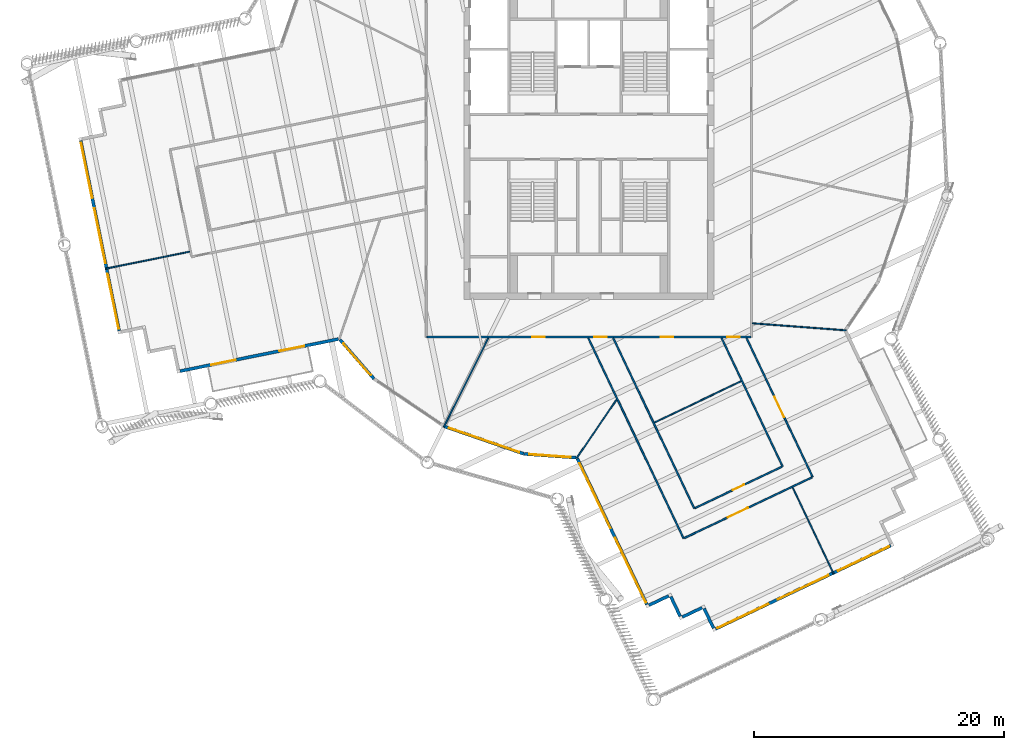
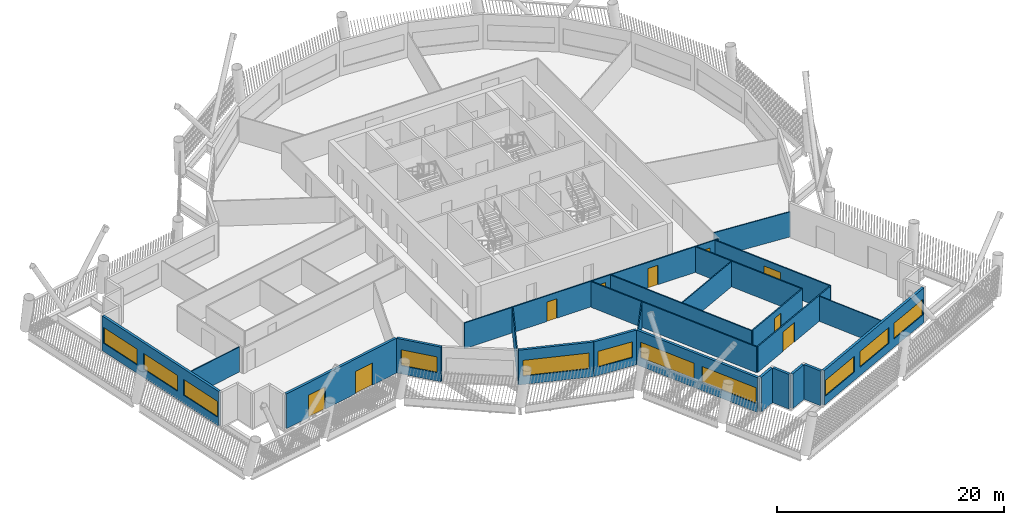
# One storey, part 3 of 21: 24 walls, 11 windows, 9 doors, 20 openings.
"""IFC4 building model written with IfcOpenShell, lengths in metres."""

from ifc_helpers import new_model, si_unit, direction, frame, frame_2d, origin, place, context, subcontext, project, spatial, rectangle, extrude, material, layer, layer_set, type_object, element, fill, save


model = new_model("IFC4")

# Units and contexts
model_context = context("Model", 3, precision=1e-05, world=origin(), true_north=direction((0.0, 1.0)))
body_context = subcontext(model_context, "Body", "Model", "MODEL_VIEW")
ifc_project = project(units=[si_unit("LENGTHUNIT", "METRE"), si_unit("AREAUNIT", "SQUARE_METRE"), si_unit("VOLUMEUNIT", "CUBIC_METRE"), si_unit("PLANEANGLEUNIT", "RADIAN"), si_unit("MASSUNIT", "GRAM", prefix="KILO")], contexts=[model_context])

# Site, building, storey
site_placement = place(None, origin())
site = spatial("IfcSite", under=ifc_project, at=site_placement, CompositionType="ELEMENT")
building_placement = place(site_placement, origin())
building = spatial("IfcBuilding", under=site, at=building_placement, Name="Tarsis Ring Headquarters", CompositionType="ELEMENT")
storey_placement = place(building_placement, frame((0.0, 0.0, 331.39990234375)))
storey = spatial("IfcBuildingStorey", under=building, at=storey_placement, Name="L78", CompositionType="ELEMENT", Elevation=331.39990234375)

# Walls
ifc_material_1 = material(Name="Gypsum board on steel studs", Category="steel")
ifc_layer_1 = layer(ifc_material_1, 0.10009765625)
ifc_layer_set_1 = layer_set([ifc_layer_1], Name="FL partition 100 unrated")
wall_type_1 = type_object("IfcWallType", Name="FL partition 100 unrated", PredefinedType="PARTITIONING", material=ifc_layer_set_1)
wall_1_placement = place(storey_placement, frame((-11.602294921875, -23.20947265625, 0.0), z_axis=(0.0, 0.0, 1.0), x_axis=(0.447140076405, 0.894463946771, 0.0)))
element("IfcWall", 1, at=wall_1_placement, inside=storey, type_object=wall_type_1, Name="Partition PW3", PredefinedType="PARTITIONING", context=body_context, shape_type="SweptSolid", body=[
    extrude(rectangle(XDim=7.969970703125, YDim=0.10009765625, at=frame_2d((3.98486328125, 0.0))), origin(), (0.0, 0.0, 1.0), 2.7001953125),
])
wall_2_placement = place(storey_placement, frame((5.23681640625, -22.834716796875, 0.0), z_axis=(0.0, 0.0, 1.0), x_axis=(0.903034961699, 0.429567058733, 0.0)))
element("IfcWall", 2, at=wall_2_placement, inside=storey, type_object=wall_type_1, Name="Partition PW3", PredefinedType="PARTITIONING", context=body_context, shape_type="SweptSolid", body=[
    extrude(rectangle(XDim=7.679931640625, YDim=0.10009765625, at=frame_2d((3.83984375, 0.0))), origin(), (0.0, 0.0, 1.0), 2.7001953125),
])
wall_3_placement = place(storey_placement, frame((16.290283203125, -28.030029296875, 0.0), z_axis=(0.0, 0.0, 1.0), x_axis=(0.429577547541, -0.903029972176, 0.0)))
element("IfcWall", 3, at=wall_3_placement, inside=storey, type_object=wall_type_1, Name="Partition PW3", PredefinedType="PARTITIONING", context=body_context, shape_type="SweptSolid", body=[
    extrude(rectangle(XDim=7.64013671875, YDim=0.10009765625, at=frame_2d((3.820068359375, 0.0))), origin(), (0.0, 0.0, 1.0), 2.7001953125),
])
wall_4_placement = place(storey_placement, frame((13.070068359375, -14.904296875, 0.0), z_axis=(0.0, 0.0, 1.0), x_axis=(0.997170464727, -0.075173561016, 0.0)))
element("IfcWall", 4, at=wall_4_placement, inside=storey, type_object=wall_type_1, Name="Partition PW3", PredefinedType="PARTITIONING", context=body_context, shape_type="SweptSolid", body=[
    extrude(rectangle(XDim=7.51513671875, YDim=0.10009765625, at=frame_2d((3.757568359375, 0.0))), origin(), (0.0, 0.0, 1.0), 2.7001953125),
])
wall_5_placement = place(storey_placement, frame((-38.626708984375, -10.540771484375, 0.0), z_axis=(0.0, 0.0, 1.0), x_axis=(0.980133284802, 0.198339970814, 0.0)))
element("IfcWall", 5, at=wall_5_placement, inside=storey, type_object=wall_type_1, Name="Partition PW3", PredefinedType="PARTITIONING", context=body_context, shape_type="SweptSolid", body=[
    extrude(rectangle(XDim=6.85986328125, YDim=0.10009765625, at=frame_2d((3.429931640625, 0.0))), origin(), (0.0, 0.0, 1.0), 2.7001953125),
])
wall_6_placement = place(storey_placement, frame((-0.9833984375, -25.693115234375, 0.0), z_axis=(0.0, 0.0, 1.0), x_axis=(0.563665651169, 0.826003047024, 0.0)))
element("IfcWall", 6, at=wall_6_placement, inside=storey, type_object=wall_type_1, Name="Partition PW3", PredefinedType="PARTITIONING", context=body_context, shape_type="SweptSolid", body=[
    extrude(rectangle(XDim=5.666748046875, YDim=0.10009765625, at=frame_2d((2.83349609375, 0.0))), origin(), (0.0, 0.0, 1.0), 2.7001953125),
])

# Wall, openings, doors
ifc_layer_2 = layer(ifc_material_1, 0.125)
ifc_layer_set_2 = layer_set([ifc_layer_2], Name="FL partition 125 EI 60 H2770")
wall_type_2 = type_object("IfcWallType", Name="FL partition 125 EI 60 H2770", PredefinedType="PARTITIONING", material=ifc_layer_set_2)
wall_7_placement = place(storey_placement, frame((-12.93994140625, -16.0, 0.0), z_axis=(0.0, 0.0, 1.0), x_axis=(1.0, 0.0, 0.0)))
wall_7 = element("IfcWall", 7, at=wall_7_placement, inside=storey, type_object=wall_type_2, Name="Partition PW1", PredefinedType="PARTITIONING", context=body_context, shape_type="SweptSolid", body=[
    extrude(rectangle(XDim=25.8798828125, YDim=0.125, at=frame_2d((12.93994140625, 0.0))), origin(), (0.0, 0.0, 1.0), 2.77001953125),
])
opening_1_placement = place(wall_7_placement, frame((8.398193359375, 0.0, 0.0)))
opening_1 = element("IfcOpeningElement", 8, at=opening_1_placement, cuts=wall_7, Name="Opening D78.11", PredefinedType="OPENING", context=body_context, shape_type="SweptSolid", body=[
    extrude(rectangle(XDim=1.0, YDim=2.10009765625, at=frame_2d((0.5, 1.050048828125))), frame((0.0, 0.072509765625, 0.0), z_axis=(0.0, -1.0, 0.0), x_axis=(1.0, 0.0, 0.0)), (0.0, 0.0, 1.0), 0.14501953125),
])
opening_2_placement = place(wall_7_placement, frame((18.677978515625, 0.0, 0.0)))
opening_2 = element("IfcOpeningElement", 9, at=opening_2_placement, cuts=wall_7, Name="Opening D78.15", PredefinedType="OPENING", context=body_context, shape_type="SweptSolid", body=[
    extrude(rectangle(XDim=1.0, YDim=2.10009765625, at=frame_2d((0.5, 1.050048828125))), frame((0.0, 0.072509765625, 0.0), z_axis=(0.0, -1.0, 0.0), x_axis=(1.0, 0.0, 0.0)), (0.0, 0.0, 1.0), 0.14501953125),
])
opening_3_placement = place(wall_7_placement, frame((13.351318359375, 0.0, 0.0)))
opening_3 = element("IfcOpeningElement", 10, at=opening_3_placement, cuts=wall_7, Name="Opening D78.17", PredefinedType="OPENING", context=body_context, shape_type="SweptSolid", body=[
    extrude(rectangle(XDim=1.0, YDim=2.10009765625, at=frame_2d((0.5, 1.050048828125))), frame((0.0, 0.072509765625, 0.0), z_axis=(0.0, -1.0, 0.0), x_axis=(1.0, 0.0, 0.0)), (0.0, 0.0, 1.0), 0.14501953125),
])
opening_4_placement = place(wall_7_placement, frame((24.00439453125, 0.0, 0.0)))
opening_4 = element("IfcOpeningElement", 11, at=opening_4_placement, cuts=wall_7, Name="Opening D78.18", PredefinedType="OPENING", context=body_context, shape_type="SweptSolid", body=[
    extrude(rectangle(XDim=1.0, YDim=2.10009765625, at=frame_2d((0.5, 1.050048828125))), frame((0.0, 0.072509765625, 0.0), z_axis=(0.0, -1.0, 0.0), x_axis=(1.0, 0.0, 0.0)), (0.0, 0.0, 1.0), 0.14501953125),
])
ifc_material_2 = material(Name="Fire-rated timber door leaf in steel frame", Category="steel")
door_type_1 = type_object("IfcDoorType", Name="FL door FD60-1000", OperationType="NOTDEFINED", PredefinedType="DOOR", material=ifc_material_2)
door_1_placement = place(opening_1_placement, origin())
door_1 = element("IfcDoor", 12, at=door_1_placement, inside=storey, type_object=door_type_1, Name="Door D78.11", OperationType="SINGLE_SWING_LEFT", OverallHeight=2.10009765625, OverallWidth=1.0, PredefinedType="DOOR", context=body_context, shape_type="SweptSolid", body=[
    extrude(rectangle(XDim=1.0, YDim=2.10009765625, at=frame_2d((0.5, 1.050048828125))), frame((0.0, 0.02490234375, 0.0), z_axis=(0.0, -1.0, 0.0), x_axis=(1.0, 0.0, 0.0)), (0.0, 0.0, 1.0), 0.050048828125),
])
fill(opening_1, door_1)
door_2_placement = place(opening_2_placement, origin())
door_2 = element("IfcDoor", 13, at=door_2_placement, inside=storey, type_object=door_type_1, Name="Door D78.15", OperationType="SINGLE_SWING_LEFT", OverallHeight=2.10009765625, OverallWidth=1.0, PredefinedType="DOOR", context=body_context, shape_type="SweptSolid", body=[
    extrude(rectangle(XDim=1.0, YDim=2.10009765625, at=frame_2d((0.5, 1.050048828125))), frame((0.0, 0.02490234375, 0.0), z_axis=(0.0, -1.0, 0.0), x_axis=(1.0, 0.0, 0.0)), (0.0, 0.0, 1.0), 0.050048828125),
])
fill(opening_2, door_2)
door_3_placement = place(opening_3_placement, origin())
door_3 = element("IfcDoor", 14, at=door_3_placement, inside=storey, type_object=door_type_1, Name="Door D78.17", OperationType="SINGLE_SWING_LEFT", OverallHeight=2.10009765625, OverallWidth=1.0, PredefinedType="DOOR", context=body_context, shape_type="SweptSolid", body=[
    extrude(rectangle(XDim=1.0, YDim=2.10009765625, at=frame_2d((0.5, 1.050048828125))), frame((0.0, 0.02490234375, 0.0), z_axis=(0.0, -1.0, 0.0), x_axis=(1.0, 0.0, 0.0)), (0.0, 0.0, 1.0), 0.050048828125),
])
fill(opening_3, door_3)
door_4_placement = place(opening_4_placement, origin())
door_4 = element("IfcDoor", 15, at=door_4_placement, inside=storey, type_object=door_type_1, Name="Door D78.18", OperationType="SINGLE_SWING_RIGHT", OverallHeight=2.10009765625, OverallWidth=1.0, PredefinedType="DOOR", context=body_context, shape_type="SweptSolid", body=[
    extrude(rectangle(XDim=1.0, YDim=2.10009765625, at=frame_2d((0.5, 1.050048828125))), frame((0.0, 0.02490234375, 0.0), z_axis=(0.0, -1.0, 0.0), x_axis=(1.0, 0.0, 0.0)), (0.0, 0.0, 1.0), 0.050048828125),
])
fill(opening_4, door_4)

# Walls
wall_8_placement = place(storey_placement, frame((-0.046630859375, -16.081298828125, 0.0), z_axis=(0.0, 0.0, 1.0), x_axis=(0.429564901428, -0.90303598791, 0.0)))
element("IfcWall", 16, at=wall_8_placement, inside=storey, type_object=wall_type_2, Name="Partition PW1", PredefinedType="PARTITIONING", context=body_context, shape_type="SweptSolid", body=[
    extrude(rectangle(XDim=17.738037109375, YDim=0.125, at=frame_2d((8.869140625, 0.0))), origin(), (0.0, 0.0, 1.0), 2.77001953125),
])
wall_9_placement = place(storey_placement, frame((1.94677734375, -16.081298828125, 0.0), z_axis=(0.0, 0.0, 1.0), x_axis=(0.429560295946, -0.903038178676, 0.0)))
element("IfcWall", 17, at=wall_9_placement, inside=storey, type_object=wall_type_2, Name="Partition PW1", PredefinedType="PARTITIONING", context=body_context, shape_type="SweptSolid", body=[
    extrude(rectangle(XDim=15.081787109375, YDim=0.125, at=frame_2d((7.541015625, 0.0))), origin(), (0.0, 0.0, 1.0), 2.77001953125),
])

# Wall, opening, door
wall_10_placement = place(storey_placement, frame((12.599609375, -16.081298828125, 0.0), z_axis=(0.0, 0.0, 1.0), x_axis=(0.429573127723, -0.903032074701, 0.0)))
wall_10 = element("IfcWall", 18, at=wall_10_placement, inside=storey, type_object=wall_type_2, Name="Partition PW1", PredefinedType="PARTITIONING", context=body_context, shape_type="SweptSolid", body=[
    extrude(rectangle(XDim=12.3056640625, YDim=0.125, at=frame_2d((6.15283203125, 0.0))), origin(), (0.0, 0.0, 1.0), 2.77001953125),
])
opening_5_placement = place(wall_10_placement, frame((5.207763671875, 0.0, 0.0)))
opening_5 = element("IfcOpeningElement", 19, at=opening_5_placement, cuts=wall_10, Name="Opening D78.09", PredefinedType="OPENING", context=body_context, shape_type="SweptSolid", body=[
    extrude(rectangle(XDim=1.800048828125, YDim=2.10009765625, at=frame_2d((0.89990234375, 1.050048828125))), frame((0.0, 0.072509765625, 0.0), z_axis=(0.0, -1.0, 0.0), x_axis=(1.0, 0.0, 0.0)), (0.0, 0.0, 1.0), 0.14501953125),
])
door_type_2 = type_object("IfcDoorType", Name="FL door FD60-1800", OperationType="DOUBLE_DOOR_SINGLE_SWING", PredefinedType="DOOR", material=ifc_material_2)
door_5_placement = place(opening_5_placement, origin())
door_5 = element("IfcDoor", 20, at=door_5_placement, inside=storey, type_object=door_type_2, Name="Door D78.09", OperationType="DOUBLE_DOOR_SINGLE_SWING", OverallHeight=2.10009765625, OverallWidth=1.800048828125, PredefinedType="DOOR", context=body_context, shape_type="SweptSolid", body=[
    extrude(rectangle(XDim=1.800048828125, YDim=2.10009765625, at=frame_2d((0.89990234375, 1.050048828125))), frame((0.0, 0.02490234375, 0.0), z_axis=(0.0, -1.0, 0.0), x_axis=(1.0, 0.0, 0.0)), (0.0, 0.0, 1.0), 0.050048828125),
])
fill(opening_5, door_5)

# Wall
wall_11_placement = place(storey_placement, frame((10.6064453125, -16.081298828125, 0.0), z_axis=(0.0, 0.0, 1.0), x_axis=(0.429559039188, -0.903038776494, 0.0)))
element("IfcWall", 21, at=wall_11_placement, inside=storey, type_object=wall_type_2, Name="Partition PW1", PredefinedType="PARTITIONING", context=body_context, shape_type="SweptSolid", body=[
    extrude(rectangle(XDim=11.36181640625, YDim=0.125, at=frame_2d((5.680908203125, 0.0))), origin(), (0.0, 0.0, 1.0), 2.77001953125),
])

# Wall, opening, door
wall_12_placement = place(storey_placement, frame((7.627197265625, -32.073486328125, 0.0), z_axis=(0.0, 0.0, 1.0), x_axis=(0.90303935382, 0.429557825505, 0.0)))
wall_12 = element("IfcWall", 22, at=wall_12_placement, inside=storey, type_object=wall_type_2, Name="Partition PW1", PredefinedType="PARTITIONING", context=body_context, shape_type="SweptSolid", body=[
    extrude(rectangle(XDim=11.300048828125, YDim=0.125, at=frame_2d((5.64990234375, 0.0))), origin(), (0.0, 0.0, 1.0), 2.77001953125),
])
opening_6_placement = place(wall_12_placement, frame((3.848388671875, 0.0, 0.0)))
opening_6 = element("IfcOpeningElement", 23, at=opening_6_placement, cuts=wall_12, Name="Opening D78.10", PredefinedType="OPENING", context=body_context, shape_type="SweptSolid", body=[
    extrude(rectangle(XDim=1.800048828125, YDim=2.10009765625, at=frame_2d((0.89990234375, 1.050048828125))), frame((0.0, 0.072509765625, 0.0), z_axis=(0.0, -1.0, 0.0), x_axis=(1.0, 0.0, 0.0)), (0.0, 0.0, 1.0), 0.14501953125),
])
door_6_placement = place(opening_6_placement, origin())
door_6 = element("IfcDoor", 24, at=door_6_placement, inside=storey, type_object=door_type_2, Name="Door D78.10", OperationType="DOUBLE_DOOR_SINGLE_SWING", OverallHeight=2.10009765625, OverallWidth=1.800048828125, PredefinedType="DOOR", context=body_context, shape_type="SweptSolid", body=[
    extrude(rectangle(XDim=1.800048828125, YDim=2.10009765625, at=frame_2d((0.89990234375, 1.050048828125))), frame((0.0, 0.02490234375, 0.0), z_axis=(0.0, -1.0, 0.0), x_axis=(1.0, 0.0, 0.0)), (0.0, 0.0, 1.0), 0.050048828125),
])
fill(opening_6, door_6)

wall_13_placement = place(storey_placement, frame((8.4794921875, -29.6748046875, 0.0), z_axis=(0.0, 0.0, 1.0), x_axis=(0.90303743699, 0.429561855144, 0.0)))
wall_13 = element("IfcWall", 25, at=wall_13_placement, inside=storey, type_object=wall_type_2, Name="Partition PW1", PredefinedType="PARTITIONING", context=body_context, shape_type="SweptSolid", body=[
    extrude(rectangle(XDim=7.699951171875, YDim=0.125, at=frame_2d((3.85009765625, 0.0))), origin(), (0.0, 0.0, 1.0), 2.77001953125),
])
opening_7_placement = place(wall_13_placement, frame((3.35009765625, 0.0, 0.0)))
opening_7 = element("IfcOpeningElement", 26, at=opening_7_placement, cuts=wall_13, Name="Opening D78.16", PredefinedType="OPENING", context=body_context, shape_type="SweptSolid", body=[
    extrude(rectangle(XDim=1.0, YDim=2.10009765625, at=frame_2d((0.5, 1.050048828125))), frame((0.0, 0.072509765625, 0.0), z_axis=(0.0, -1.0, 0.0), x_axis=(1.0, 0.0, 0.0)), (0.0, 0.0, 1.0), 0.14501953125),
])
door_7_placement = place(opening_7_placement, origin())
door_7 = element("IfcDoor", 27, at=door_7_placement, inside=storey, type_object=door_type_1, Name="Door D78.16", OperationType="SINGLE_SWING_RIGHT", OverallHeight=2.10009765625, OverallWidth=1.0, PredefinedType="DOOR", context=body_context, shape_type="SweptSolid", body=[
    extrude(rectangle(XDim=1.0, YDim=2.10009765625, at=frame_2d((0.5, 1.050048828125))), frame((0.0, 0.02490234375, 0.0), z_axis=(0.0, -1.0, 0.0), x_axis=(1.0, 0.0, 0.0)), (0.0, 0.0, 1.0), 0.050048828125),
])
fill(opening_7, door_7)

# Wall, openings, doors
ifc_material_3 = material(Name="Terracotta clad insulated panel wall", Category="masonry")
ifc_layer_3 = layer(ifc_material_3, 0.25)
ifc_layer_set_3 = layer_set([ifc_layer_3], Name="Facade wall terracotta panel 250")
wall_type_3 = type_object("IfcWallType", Name="Facade wall terracotta panel 250", PredefinedType="STANDARD", material=ifc_layer_set_3)
wall_14_placement = place(storey_placement, frame((-32.684326171875, -18.729736328125, 0.0), z_axis=(0.0, 0.0, 1.0), x_axis=(0.980131954841, 0.198346542947, 0.0)))
wall_14 = element("IfcWall", 28, at=wall_14_placement, inside=storey, type_object=wall_type_3, Name="External wall L78-01", PredefinedType="STANDARD", context=body_context, shape_type="SweptSolid", body=[
    extrude(rectangle(XDim=12.921875, YDim=0.25, at=frame_2d((6.4609375, 0.0))), origin(), (0.0, 0.0, 1.0), 3.739990234375),
])
opening_8_placement = place(wall_14_placement, frame((2.550048828125, 0.0, 0.0)))
opening_8 = element("IfcOpeningElement", 29, at=opening_8_placement, cuts=wall_14, Name="Opening L78-BD01", PredefinedType="OPENING", context=body_context, shape_type="SweptSolid", body=[
    extrude(rectangle(XDim=2.0, YDim=2.39990234375, at=frame_2d((1.0, 1.199951171875))), frame((0.0, 0.135009765625, 0.0), z_axis=(0.0, -1.0, 0.0), x_axis=(1.0, 0.0, 0.0)), (0.0, 0.0, 1.0), 0.27001953125),
])
opening_9_placement = place(wall_14_placement, frame((8.1220703125, 0.0, 0.0)))
opening_9 = element("IfcOpeningElement", 30, at=opening_9_placement, cuts=wall_14, Name="Opening L78-BD02", PredefinedType="OPENING", context=body_context, shape_type="SweptSolid", body=[
    extrude(rectangle(XDim=2.0, YDim=2.39990234375, at=frame_2d((1.0, 1.199951171875))), frame((0.0, 0.135009765625, 0.0), z_axis=(0.0, -1.0, 0.0), x_axis=(1.0, 0.0, 0.0)), (0.0, 0.0, 1.0), 0.27001953125),
])
ifc_material_4 = material(Name="Aluminium framed double glazing", Category="aluminium")
door_type_3 = type_object("IfcDoorType", Name="Balcony sliding door 2000 x 2400", OperationType="SLIDING_TO_LEFT", PredefinedType="DOOR", material=ifc_material_4)
door_8_placement = place(opening_8_placement, origin())
door_8 = element("IfcDoor", 31, at=door_8_placement, inside=storey, type_object=door_type_3, Name="Door L78-BD01", OperationType="SINGLE_SWING_LEFT", OverallHeight=2.39990234375, OverallWidth=2.0, PredefinedType="DOOR", context=body_context, shape_type="SweptSolid", body=[
    extrude(rectangle(XDim=2.0, YDim=2.39990234375, at=frame_2d((1.0, 1.199951171875))), frame((0.0, 0.02490234375, 0.0), z_axis=(0.0, -1.0, 0.0), x_axis=(1.0, 0.0, 0.0)), (0.0, 0.0, 1.0), 0.050048828125),
])
fill(opening_8, door_8)
door_9_placement = place(opening_9_placement, origin())
door_9 = element("IfcDoor", 32, at=door_9_placement, inside=storey, type_object=door_type_3, Name="Door L78-BD02", OperationType="SINGLE_SWING_LEFT", OverallHeight=2.39990234375, OverallWidth=2.0, PredefinedType="DOOR", context=body_context, shape_type="SweptSolid", body=[
    extrude(rectangle(XDim=2.0, YDim=2.39990234375, at=frame_2d((1.0, 1.199951171875))), frame((0.0, 0.02490234375, 0.0), z_axis=(0.0, -1.0, 0.0), x_axis=(1.0, 0.0, 0.0)), (0.0, 0.0, 1.0), 0.050048828125),
])
fill(opening_9, door_9)

# Wall, opening, window
wall_15_placement = place(storey_placement, frame((-19.89990234375, -16.20751953125, 0.0), z_axis=(0.0, 0.0, 1.0), x_axis=(0.655272516249, -0.755392566451, 0.0)))
wall_15 = element("IfcWall", 33, at=wall_15_placement, inside=storey, type_object=wall_type_3, Name="External wall L78-02", PredefinedType="STANDARD", context=body_context, shape_type="SweptSolid", body=[
    extrude(rectangle(XDim=4.15771484375, YDim=0.25, at=frame_2d((2.078857421875, 0.0))), origin(), (0.0, 0.0, 1.0), 3.739990234375),
])
opening_10_placement = place(wall_15_placement, frame((0.420166015625, 0.0, 0.89990234375)))
opening_10 = element("IfcOpeningElement", 34, at=opening_10_placement, cuts=wall_15, Name="Opening WN01", PredefinedType="OPENING", context=body_context, shape_type="SweptSolid", body=[
    extrude(rectangle(XDim=3.35009765625, YDim=1.699951171875, at=frame_2d((1.675048828125, 0.85009765625))), frame((0.0, 0.135009765625, 0.0), z_axis=(0.0, -1.0, 0.0), x_axis=(1.0, 0.0, 0.0)), (0.0, 0.0, 1.0), 0.27001953125),
])
window_type_1 = type_object("IfcWindowType", Name="Facade window 3350 x 1700", PartitioningType="SINGLE_PANEL", PredefinedType="WINDOW", material=ifc_material_4)
window_1_placement = place(opening_10_placement, origin())
window_1 = element("IfcWindow", 35, at=window_1_placement, inside=storey, type_object=window_type_1, Name="Window L78-02.1", OverallHeight=1.699951171875, OverallWidth=3.35009765625, PartitioningType="SINGLE_PANEL", PredefinedType="WINDOW", context=body_context, shape_type="SweptSolid", body=[
    extrude(rectangle(XDim=3.35009765625, YDim=1.699951171875, at=frame_2d((1.675048828125, 0.85009765625))), frame((0.0, 0.030029296875, 0.0), z_axis=(0.0, -1.0, 0.0), x_axis=(1.0, 0.0, 0.0)), (0.0, 0.0, 1.0), 0.06005859375),
])
fill(opening_10, window_1)

wall_16_placement = place(storey_placement, frame((-11.553466796875, -23.148681640625, 0.0), z_axis=(0.0, 0.0, 1.0), x_axis=(0.945172472133, -0.326571581621, 0.0)))
wall_16 = element("IfcWall", 36, at=wall_16_placement, inside=storey, type_object=wall_type_3, Name="External wall L78-04", PredefinedType="STANDARD", context=body_context, shape_type="SweptSolid", body=[
    extrude(rectangle(XDim=6.721435546875, YDim=0.25, at=frame_2d((3.36083984375, 0.0))), origin(), (0.0, 0.0, 1.0), 3.739990234375),
])
opening_11_placement = place(wall_16_placement, frame((0.3857421875, 0.0, 0.89990234375)))
opening_11 = element("IfcOpeningElement", 37, at=opening_11_placement, cuts=wall_16, Name="Opening WN07", PredefinedType="OPENING", context=body_context, shape_type="SweptSolid", body=[
    extrude(rectangle(XDim=5.949951171875, YDim=1.699951171875, at=frame_2d((2.97509765625, 0.85009765625))), frame((0.0, 0.135009765625, 0.0), z_axis=(0.0, -1.0, 0.0), x_axis=(1.0, 0.0, 0.0)), (0.0, 0.0, 1.0), 0.27001953125),
])
window_type_2 = type_object("IfcWindowType", Name="Facade window 5950 x 1700", PartitioningType="SINGLE_PANEL", PredefinedType="WINDOW", material=ifc_material_4)
window_2_placement = place(opening_11_placement, origin())
window_2 = element("IfcWindow", 38, at=window_2_placement, inside=storey, type_object=window_type_2, Name="Window L78-04.1", OverallHeight=1.699951171875, OverallWidth=5.949951171875, PartitioningType="SINGLE_PANEL", PredefinedType="WINDOW", context=body_context, shape_type="SweptSolid", body=[
    extrude(rectangle(XDim=5.949951171875, YDim=1.699951171875, at=frame_2d((2.97509765625, 0.85009765625))), frame((0.0, 0.030029296875, 0.0), z_axis=(0.0, -1.0, 0.0), x_axis=(1.0, 0.0, 0.0)), (0.0, 0.0, 1.0), 0.06005859375),
])
fill(opening_11, window_2)

wall_17_placement = place(storey_placement, frame((-5.16845703125, -25.350341796875, 0.0), z_axis=(0.0, 0.0, 1.0), x_axis=(0.997493161206, -0.070762937669, 0.0)))
wall_17 = element("IfcWall", 39, at=wall_17_placement, inside=storey, type_object=wall_type_3, Name="External wall L78-05", PredefinedType="STANDARD", context=body_context, shape_type="SweptSolid", body=[
    extrude(rectangle(XDim=4.157470703125, YDim=0.25, at=frame_2d((2.07861328125, 0.0))), origin(), (0.0, 0.0, 1.0), 3.739990234375),
])
opening_12_placement = place(wall_17_placement, frame((0.38720703125, 0.0, 0.89990234375)))
opening_12 = element("IfcOpeningElement", 40, at=opening_12_placement, cuts=wall_17, Name="Opening WN01", PredefinedType="OPENING", context=body_context, shape_type="SweptSolid", body=[
    extrude(rectangle(XDim=3.35009765625, YDim=1.699951171875, at=frame_2d((1.675048828125, 0.85009765625))), frame((0.0, 0.135009765625, 0.0), z_axis=(0.0, -1.0, 0.0), x_axis=(1.0, 0.0, 0.0)), (0.0, 0.0, 1.0), 0.27001953125),
])
window_3_placement = place(opening_12_placement, origin())
window_3 = element("IfcWindow", 41, at=window_3_placement, inside=storey, type_object=window_type_1, Name="Window L78-05.1", OverallHeight=1.699951171875, OverallWidth=3.35009765625, PartitioningType="SINGLE_PANEL", PredefinedType="WINDOW", context=body_context, shape_type="SweptSolid", body=[
    extrude(rectangle(XDim=3.35009765625, YDim=1.699951171875, at=frame_2d((1.675048828125, 0.85009765625))), frame((0.0, 0.030029296875, 0.0), z_axis=(0.0, -1.0, 0.0), x_axis=(1.0, 0.0, 0.0)), (0.0, 0.0, 1.0), 0.06005859375),
])
fill(opening_12, window_3)

# Wall, openings, windows
wall_18_placement = place(storey_placement, frame((-0.91748046875, -25.715576171875, 0.0), z_axis=(0.0, 0.0, 1.0), x_axis=(0.429579322174, -0.903029127969, 0.0)))
wall_18 = element("IfcWall", 42, at=wall_18_placement, inside=storey, type_object=wall_type_3, Name="External wall L78-06", PredefinedType="STANDARD", context=body_context, shape_type="SweptSolid", body=[
    extrude(rectangle(XDim=12.922119140625, YDim=0.25, at=frame_2d((6.4609375, 0.0))), origin(), (0.0, 0.0, 1.0), 3.739990234375),
])
opening_13_placement = place(wall_18_placement, frame((0.41796875, 0.0, 0.89990234375)))
opening_13 = element("IfcOpeningElement", 43, at=opening_13_placement, cuts=wall_18, Name="Opening WN06", PredefinedType="OPENING", context=body_context, shape_type="SweptSolid", body=[
    extrude(rectangle(XDim=5.75, YDim=1.699951171875, at=frame_2d((2.875, 0.85009765625))), frame((0.0, 0.135009765625, 0.0), z_axis=(0.0, -1.0, 0.0), x_axis=(1.0, 0.0, 0.0)), (0.0, 0.0, 1.0), 0.27001953125),
])
opening_14_placement = place(wall_18_placement, frame((7.00390625, 0.0, 0.89990234375)))
opening_14 = element("IfcOpeningElement", 44, at=opening_14_placement, cuts=wall_18, Name="Opening WN06", PredefinedType="OPENING", context=body_context, shape_type="SweptSolid", body=[
    extrude(rectangle(XDim=5.75, YDim=1.699951171875, at=frame_2d((2.875, 0.85009765625))), frame((0.0, 0.135009765625, 0.0), z_axis=(0.0, -1.0, 0.0), x_axis=(1.0, 0.0, 0.0)), (0.0, 0.0, 1.0), 0.27001953125),
])
window_type_3 = type_object("IfcWindowType", Name="Facade window 5750 x 1700", PartitioningType="SINGLE_PANEL", PredefinedType="WINDOW", material=ifc_material_4)
window_4_placement = place(opening_13_placement, origin())
window_4 = element("IfcWindow", 45, at=window_4_placement, inside=storey, type_object=window_type_3, Name="Window L78-06.1", OverallHeight=1.699951171875, OverallWidth=5.75, PartitioningType="SINGLE_PANEL", PredefinedType="WINDOW", context=body_context, shape_type="SweptSolid", body=[
    extrude(rectangle(XDim=5.75, YDim=1.699951171875, at=frame_2d((2.875, 0.85009765625))), frame((0.0, 0.030029296875, 0.0), z_axis=(0.0, -1.0, 0.0), x_axis=(1.0, 0.0, 0.0)), (0.0, 0.0, 1.0), 0.06005859375),
])
fill(opening_13, window_4)
window_5_placement = place(opening_14_placement, origin())
window_5 = element("IfcWindow", 46, at=window_5_placement, inside=storey, type_object=window_type_3, Name="Window L78-06.2", OverallHeight=1.699951171875, OverallWidth=5.75, PartitioningType="SINGLE_PANEL", PredefinedType="WINDOW", context=body_context, shape_type="SweptSolid", body=[
    extrude(rectangle(XDim=5.75, YDim=1.699951171875, at=frame_2d((2.875, 0.85009765625))), frame((0.0, 0.030029296875, 0.0), z_axis=(0.0, -1.0, 0.0), x_axis=(1.0, 0.0, 0.0)), (0.0, 0.0, 1.0), 0.06005859375),
])
fill(opening_14, window_5)

# Walls
for number, where, z_axis, x_axis, name in (
    (47, (4.800048828125, -37.44384765625, 0.0), (0.0, 0.0, 1.0), (0.90304352676, 0.429549052818, 0.0), "External wall L78-07"),
    (48, (6.546875, -36.751220703125, 0.0), (0.0, 0.0, 1.0), (0.429549052818, -0.90304352676, 0.0), "External wall L78-08"),
    (49, (7.465087890625, -38.390625, 0.0), (0.0, 0.0, 1.0), (0.90304352676, 0.429549052818, 0.0), "External wall L78-09"),
    (50, (9.212158203125, -37.6982421875, 0.0), (0.0, 0.0, 1.0), (0.429549052818, -0.90304352676, 0.0), "External wall L78-10"),
):
    element("IfcWall", number, at=place(storey_placement, frame(where, z_axis=z_axis, x_axis=x_axis)), inside=storey, type_object=wall_type_3, Name=name, PredefinedType="STANDARD", context=body_context, shape_type="SweptSolid", body=[
        extrude(rectangle(XDim=1.75, YDim=0.25, at=frame_2d((0.875, 0.0))), origin(), (0.0, 0.0, 1.0), 3.739990234375),
    ])

# Wall, openings, windows
wall_19_placement = place(storey_placement, frame((10.13037109375, -39.337646484375, 0.0), z_axis=(0.0, 0.0, 1.0), x_axis=(0.903037459301, 0.429561808241, 0.0)))
wall_19 = element("IfcWall", 51, at=wall_19_placement, inside=storey, type_object=wall_type_3, Name="External wall L78-11", PredefinedType="STANDARD", context=body_context, shape_type="SweptSolid", body=[
    extrude(rectangle(XDim=15.5, YDim=0.25, at=frame_2d((7.75, 0.0))), origin(), (0.0, 0.0, 1.0), 3.739990234375),
])
opening_15_placement = place(wall_19_placement, frame((0.166748046875, 0.0, 0.89990234375)))
opening_15 = element("IfcOpeningElement", 52, at=opening_15_placement, cuts=wall_19, Name="Opening WN04", PredefinedType="OPENING", context=body_context, shape_type="SweptSolid", body=[
    extrude(rectangle(XDim=4.5, YDim=1.699951171875, at=frame_2d((2.25, 0.85009765625))), frame((0.0, 0.135009765625, 0.0), z_axis=(0.0, -1.0, 0.0), x_axis=(1.0, 0.0, 0.0)), (0.0, 0.0, 1.0), 0.27001953125),
])
opening_16_placement = place(wall_19_placement, frame((5.5, 0.0, 0.89990234375)))
opening_16 = element("IfcOpeningElement", 53, at=opening_16_placement, cuts=wall_19, Name="Opening WN04", PredefinedType="OPENING", context=body_context, shape_type="SweptSolid", body=[
    extrude(rectangle(XDim=4.5, YDim=1.699951171875, at=frame_2d((2.25, 0.85009765625))), frame((0.0, 0.135009765625, 0.0), z_axis=(0.0, -1.0, 0.0), x_axis=(1.0, 0.0, 0.0)), (0.0, 0.0, 1.0), 0.27001953125),
])
opening_17_placement = place(wall_19_placement, frame((10.833251953125, 0.0, 0.89990234375)))
opening_17 = element("IfcOpeningElement", 54, at=opening_17_placement, cuts=wall_19, Name="Opening WN04", PredefinedType="OPENING", context=body_context, shape_type="SweptSolid", body=[
    extrude(rectangle(XDim=4.5, YDim=1.699951171875, at=frame_2d((2.25, 0.85009765625))), frame((0.0, 0.135009765625, 0.0), z_axis=(0.0, -1.0, 0.0), x_axis=(1.0, 0.0, 0.0)), (0.0, 0.0, 1.0), 0.27001953125),
])
window_type_4 = type_object("IfcWindowType", Name="Facade window 4500 x 1700", PartitioningType="SINGLE_PANEL", PredefinedType="WINDOW", material=ifc_material_4)
window_6_placement = place(opening_15_placement, origin())
window_6 = element("IfcWindow", 55, at=window_6_placement, inside=storey, type_object=window_type_4, Name="Window L78-11.1", OverallHeight=1.699951171875, OverallWidth=4.5, PartitioningType="SINGLE_PANEL", PredefinedType="WINDOW", context=body_context, shape_type="SweptSolid", body=[
    extrude(rectangle(XDim=4.5, YDim=1.699951171875, at=frame_2d((2.25, 0.85009765625))), frame((0.0, 0.030029296875, 0.0), z_axis=(0.0, -1.0, 0.0), x_axis=(1.0, 0.0, 0.0)), (0.0, 0.0, 1.0), 0.06005859375),
])
fill(opening_15, window_6)
window_7_placement = place(opening_16_placement, origin())
window_7 = element("IfcWindow", 56, at=window_7_placement, inside=storey, type_object=window_type_4, Name="Window L78-11.2", OverallHeight=1.699951171875, OverallWidth=4.5, PartitioningType="SINGLE_PANEL", PredefinedType="WINDOW", context=body_context, shape_type="SweptSolid", body=[
    extrude(rectangle(XDim=4.5, YDim=1.699951171875, at=frame_2d((2.25, 0.85009765625))), frame((0.0, 0.030029296875, 0.0), z_axis=(0.0, -1.0, 0.0), x_axis=(1.0, 0.0, 0.0)), (0.0, 0.0, 1.0), 0.06005859375),
])
fill(opening_16, window_7)
window_8_placement = place(opening_17_placement, origin())
window_8 = element("IfcWindow", 57, at=window_8_placement, inside=storey, type_object=window_type_4, Name="Window L78-11.3", OverallHeight=1.699951171875, OverallWidth=4.5, PartitioningType="SINGLE_PANEL", PredefinedType="WINDOW", context=body_context, shape_type="SweptSolid", body=[
    extrude(rectangle(XDim=4.5, YDim=1.699951171875, at=frame_2d((2.25, 0.85009765625))), frame((0.0, 0.030029296875, 0.0), z_axis=(0.0, -1.0, 0.0), x_axis=(1.0, 0.0, 0.0)), (0.0, 0.0, 1.0), 0.06005859375),
])
fill(opening_17, window_8)

wall_20_placement = place(storey_placement, frame((-40.619873046875, -0.312744140625, 0.0), z_axis=(0.0, 0.0, 1.0), x_axis=(0.198335909969, -0.980134106547, 0.0)))
wall_20 = element("IfcWall", 58, at=wall_20_placement, inside=storey, type_object=wall_type_3, Name="External wall L78-36", PredefinedType="STANDARD", context=body_context, shape_type="SweptSolid", body=[
    extrude(rectangle(XDim=15.5, YDim=0.25, at=frame_2d((7.75, 0.0))), origin(), (0.0, 0.0, 1.0), 3.739990234375),
])
opening_18_placement = place(wall_20_placement, frame((0.166748046875, 0.0, 0.89990234375)))
opening_18 = element("IfcOpeningElement", 59, at=opening_18_placement, cuts=wall_20, Name="Opening WN04", PredefinedType="OPENING", context=body_context, shape_type="SweptSolid", body=[
    extrude(rectangle(XDim=4.5, YDim=1.699951171875, at=frame_2d((2.25, 0.85009765625))), frame((0.0, 0.135009765625, 0.0), z_axis=(0.0, -1.0, 0.0), x_axis=(1.0, 0.0, 0.0)), (0.0, 0.0, 1.0), 0.27001953125),
])
opening_19_placement = place(wall_20_placement, frame((5.5, 0.0, 0.89990234375)))
opening_19 = element("IfcOpeningElement", 60, at=opening_19_placement, cuts=wall_20, Name="Opening WN04", PredefinedType="OPENING", context=body_context, shape_type="SweptSolid", body=[
    extrude(rectangle(XDim=4.5, YDim=1.699951171875, at=frame_2d((2.25, 0.85009765625))), frame((0.0, 0.135009765625, 0.0), z_axis=(0.0, -1.0, 0.0), x_axis=(1.0, 0.0, 0.0)), (0.0, 0.0, 1.0), 0.27001953125),
])
opening_20_placement = place(wall_20_placement, frame((10.833251953125, 0.0, 0.89990234375)))
opening_20 = element("IfcOpeningElement", 61, at=opening_20_placement, cuts=wall_20, Name="Opening WN04", PredefinedType="OPENING", context=body_context, shape_type="SweptSolid", body=[
    extrude(rectangle(XDim=4.5, YDim=1.699951171875, at=frame_2d((2.25, 0.85009765625))), frame((0.0, 0.135009765625, 0.0), z_axis=(0.0, -1.0, 0.0), x_axis=(1.0, 0.0, 0.0)), (0.0, 0.0, 1.0), 0.27001953125),
])
window_9_placement = place(opening_18_placement, origin())
window_9 = element("IfcWindow", 62, at=window_9_placement, inside=storey, type_object=window_type_4, Name="Window L78-36.1", OverallHeight=1.699951171875, OverallWidth=4.5, PartitioningType="SINGLE_PANEL", PredefinedType="WINDOW", context=body_context, shape_type="SweptSolid", body=[
    extrude(rectangle(XDim=4.5, YDim=1.699951171875, at=frame_2d((2.25, 0.85009765625))), frame((0.0, 0.030029296875, 0.0), z_axis=(0.0, -1.0, 0.0), x_axis=(1.0, 0.0, 0.0)), (0.0, 0.0, 1.0), 0.06005859375),
])
fill(opening_18, window_9)
window_10_placement = place(opening_19_placement, origin())
window_10 = element("IfcWindow", 63, at=window_10_placement, inside=storey, type_object=window_type_4, Name="Window L78-36.2", OverallHeight=1.699951171875, OverallWidth=4.5, PartitioningType="SINGLE_PANEL", PredefinedType="WINDOW", context=body_context, shape_type="SweptSolid", body=[
    extrude(rectangle(XDim=4.5, YDim=1.699951171875, at=frame_2d((2.25, 0.85009765625))), frame((0.0, 0.030029296875, 0.0), z_axis=(0.0, -1.0, 0.0), x_axis=(1.0, 0.0, 0.0)), (0.0, 0.0, 1.0), 0.06005859375),
])
fill(opening_19, window_10)
window_11_placement = place(opening_20_placement, origin())
window_11 = element("IfcWindow", 64, at=window_11_placement, inside=storey, type_object=window_type_4, Name="Window L78-36.3", OverallHeight=1.699951171875, OverallWidth=4.5, PartitioningType="SINGLE_PANEL", PredefinedType="WINDOW", context=body_context, shape_type="SweptSolid", body=[
    extrude(rectangle(XDim=4.5, YDim=1.699951171875, at=frame_2d((2.25, 0.85009765625))), frame((0.0, 0.030029296875, 0.0), z_axis=(0.0, -1.0, 0.0), x_axis=(1.0, 0.0, 0.0)), (0.0, 0.0, 1.0), 0.06005859375),
])
fill(opening_20, window_11)

save(model, "model.ifc")
